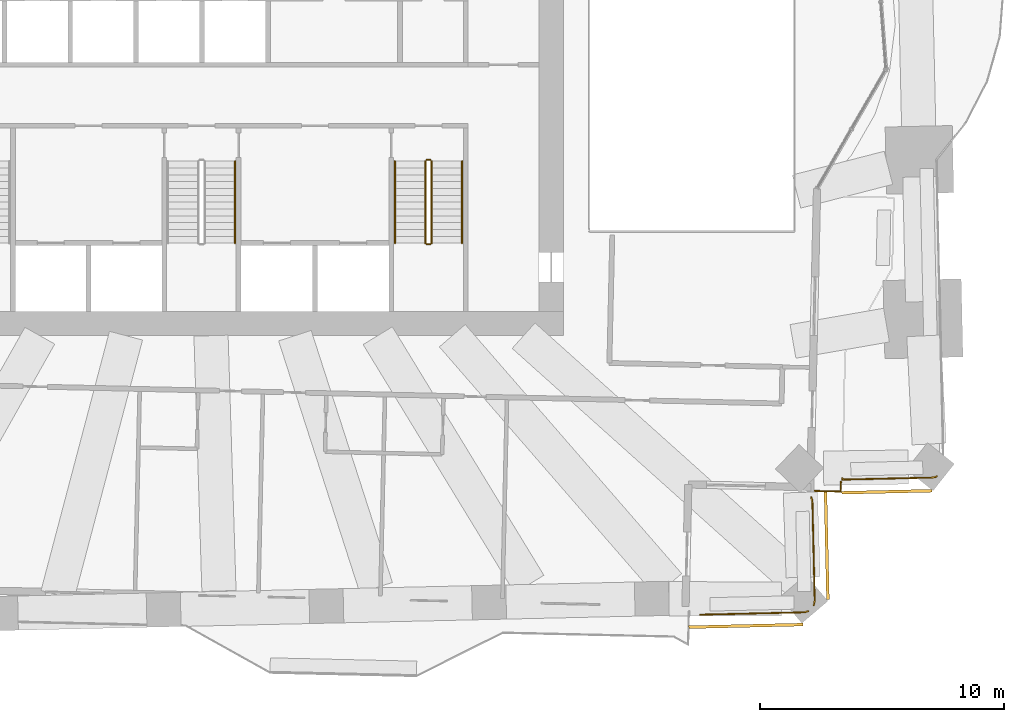
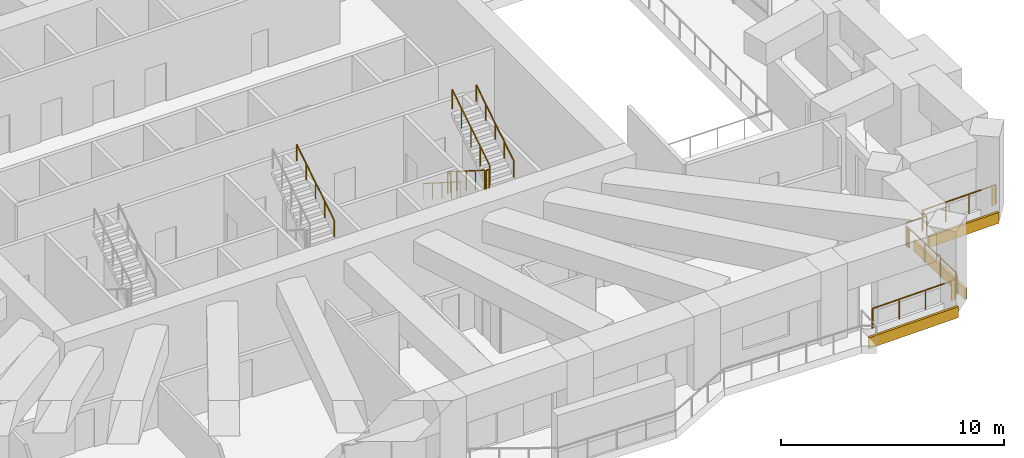
# One storey, part 18 of 20: 11 railings, 3 coverings.
"""IFC4 building model written with IfcOpenShell, lengths in metres."""

from ifc_helpers import new_model, si_unit, direction, frame, frame_2d, origin, origin_2d, place, context, subcontext, project, spatial, rectangle, circle, extrude, material, layer, layer_set, type_object, element, save


model = new_model("IFC4")

# Units and contexts
model_context = context("Model", 3, precision=1e-05, world=origin(), true_north=direction((0.0, 1.0)))
body_context = subcontext(model_context, "Body", "Model", "MODEL_VIEW")
ifc_project = project(units=[si_unit("LENGTHUNIT", "METRE"), si_unit("AREAUNIT", "SQUARE_METRE"), si_unit("VOLUMEUNIT", "CUBIC_METRE"), si_unit("PLANEANGLEUNIT", "RADIAN"), si_unit("MASSUNIT", "GRAM", prefix="KILO")], contexts=[model_context])

# Site, building, storey
site_placement = place(None, origin())
site = spatial("IfcSite", under=ifc_project, at=site_placement, CompositionType="ELEMENT")
building_placement = place(site_placement, origin())
building = spatial("IfcBuilding", under=site, at=building_placement, Name="Mangrove Gate Tower", CompositionType="ELEMENT")
storey_placement = place(building_placement, frame((0.0, 0.0, 97.300048828125)))
storey = spatial("IfcBuildingStorey", under=building, at=storey_placement, Name="L24", CompositionType="ELEMENT", Elevation=97.300048828125)

# Railings
ifc_material_1 = material(Name="Stainless steel grade 316 with laminated glass infill", Category="steel")
railing_type_1 = type_object("IfcRailingType", Name="Balcony guard 1100", PredefinedType="GUARDRAIL", material=ifc_material_1)
railing_1_placement = place(storey_placement, frame((25.10107421875, -18.160888671875, 0.0)))
element("IfcRailing", 1, at=railing_1_placement, inside=storey, type_object=railing_type_1, Name="GUARD L24 E1", PredefinedType="GUARDRAIL", context=body_context, shape_type="SweptSolid", body=[
    extrude(rectangle(XDim=0.048095703125, YDim=0.048095703125, at=origin_2d()), frame((0.0, 0.0, 1.076171875), z_axis=(0.999740049023, -0.022799876723, 0.0), x_axis=(0.022799876723, 0.999740049023, 0.0)), (0.0, 0.0, 1.0), 1.06005859375),
    extrude(rectangle(XDim=0.048095703125, YDim=0.048095703125, at=origin_2d()), frame((1.059814453125, -0.024169921875, 1.076171875), z_axis=(0.022018470162, 0.999757564098, 0.0), x_axis=(-0.999757564098, 0.022018470162, 0.0)), (0.0, 0.0, 1.0), 0.41015625),
    extrude(rectangle(XDim=0.0419921875, YDim=0.0419921875, at=origin_2d()), origin(), (0.0, 0.0, 1.0), 1.052001953125),
    extrude(rectangle(XDim=0.0419921875, YDim=0.0419921875, at=origin_2d()), frame((1.059814453125, -0.024169921875, 0.0)), (0.0, 0.0, 1.0), 1.052001953125),
    extrude(rectangle(XDim=0.0419921875, YDim=0.0419921875, at=origin_2d()), frame((1.06884765625, 0.385986328125, 0.0)), (0.0, 0.0, 1.0), 1.052001953125),
])
railing_2_placement = place(storey_placement, frame((30.095947265625, -17.55810546875, 0.0)))
element("IfcRailing", 2, at=railing_2_placement, inside=storey, type_object=railing_type_1, Name="GUARD L24 T1.3", PredefinedType="GUARDRAIL", context=body_context, shape_type="SweptSolid", body=[
    extrude(rectangle(XDim=0.048095703125, YDim=0.048095703125, at=origin_2d()), frame((0.0, 0.0, 1.076171875), z_axis=(-0.887359195726, -0.461078797779, 0.0), x_axis=(0.461078797779, -0.887359195726, 0.0)), (0.0, 0.0, 1.0), 0.028076171875),
    extrude(rectangle(XDim=0.048095703125, YDim=0.048095703125, at=origin_2d()), frame((-0.02490234375, -0.012939453125, 1.076171875), z_axis=(-0.931170070305, -0.364585106892, 0.0), x_axis=(0.364585106892, -0.931170070305, 0.0)), (0.0, 0.0, 1.0), 0.049560546875),
    extrude(rectangle(XDim=0.048095703125, YDim=0.048095703125, at=origin_2d()), frame((-0.071044921875, -0.031005859375, 1.076171875), z_axis=(-0.963948224108, -0.266089874363, 0.0), x_axis=(0.266089874363, -0.963948224108, 0.0)), (0.0, 0.0, 1.0), 0.048583984375),
    extrude(rectangle(XDim=0.048095703125, YDim=0.048095703125, at=origin_2d()), frame((-0.117919921875, -0.0439453125, 1.076171875), z_axis=(-0.986789091699, -0.162010149383, 0.0), x_axis=(0.162010149383, -0.986789091699, 0.0)), (0.0, 0.0, 1.0), 0.0498046875),
    extrude(rectangle(XDim=0.048095703125, YDim=0.048095703125, at=origin_2d()), frame((-0.1669921875, -0.052001953125, 1.076171875), z_axis=(-0.998222615791, -0.059595380047, 0.0), x_axis=(0.059595380047, -0.998222615791, 0.0)), (0.0, 0.0, 1.0), 0.049072265625),
    extrude(rectangle(XDim=0.048095703125, YDim=0.048095703125, at=origin_2d()), frame((-0.216064453125, -0.054931640625, 1.076171875), z_axis=(-0.999741213412, -0.02274876272, 0.0), x_axis=(0.02274876272, -0.999741213412, 0.0)), (0.0, 0.0, 1.0), 3.64892578125),
    extrude(rectangle(XDim=0.048095703125, YDim=0.048095703125, at=origin_2d()), frame((-3.864013671875, -0.137939453125, 1.076171875), z_axis=(0.019508481785, 0.999809691461, 0.0), x_axis=(-0.999809691461, 0.019508481785, 0.0)), (0.0, 0.0, 1.0), 0.050048828125),
    extrude(rectangle(XDim=0.0419921875, YDim=0.0419921875, at=origin_2d()), origin(), (0.0, 0.0, 1.0), 1.052001953125),
    extrude(rectangle(XDim=0.0419921875, YDim=0.0419921875, at=origin_2d()), frame((-0.02490234375, -0.012939453125, 0.0)), (0.0, 0.0, 1.0), 1.052001953125),
    extrude(rectangle(XDim=0.0419921875, YDim=0.0419921875, at=origin_2d()), frame((-0.071044921875, -0.031005859375, 0.0)), (0.0, 0.0, 1.0), 1.052001953125),
    extrude(rectangle(XDim=0.0419921875, YDim=0.0419921875, at=origin_2d()), frame((-0.117919921875, -0.0439453125, 0.0)), (0.0, 0.0, 1.0), 1.052001953125),
    extrude(rectangle(XDim=0.0419921875, YDim=0.0419921875, at=origin_2d()), frame((-0.1669921875, -0.052001953125, 0.0)), (0.0, 0.0, 1.0), 1.052001953125),
    extrude(rectangle(XDim=0.0419921875, YDim=0.0419921875, at=origin_2d()), frame((-0.216064453125, -0.054931640625, 0.0)), (0.0, 0.0, 1.0), 1.052001953125),
    extrude(rectangle(XDim=0.0419921875, YDim=0.0419921875, at=origin_2d()), frame((-1.43212890625, -0.08251953125, 0.0)), (0.0, 0.0, 1.0), 1.052001953125),
    extrude(rectangle(XDim=0.0419921875, YDim=0.0419921875, at=origin_2d()), frame((-2.64794921875, -0.1103515625, 0.0)), (0.0, 0.0, 1.0), 1.052001953125),
    extrude(rectangle(XDim=0.0419921875, YDim=0.0419921875, at=origin_2d()), frame((-3.864013671875, -0.137939453125, 0.0)), (0.0, 0.0, 1.0), 1.052001953125),
    extrude(rectangle(XDim=0.0419921875, YDim=0.0419921875, at=origin_2d()), frame((-3.863037109375, -0.087890625, 0.0)), (0.0, 0.0, 1.0), 1.052001953125),
])
railing_3_placement = place(storey_placement, frame((24.947021484375, -18.419921875, 0.0)))
element("IfcRailing", 3, at=railing_3_placement, inside=storey, type_object=railing_type_1, Name="GUARD L24 T2.1", PredefinedType="GUARDRAIL", context=body_context, shape_type="SweptSolid", body=[
    extrude(rectangle(XDim=0.048095703125, YDim=0.048095703125, at=origin_2d()), frame((0.0, 0.0, 1.076171875), z_axis=(0.432961799002, -0.901412270054, 0.0), x_axis=(0.901412270054, 0.432961799002, 0.0)), (0.0, 0.0, 1.0), 0.034423828125),
    extrude(rectangle(XDim=0.048095703125, YDim=0.048095703125, at=origin_2d()), frame((0.014892578125, -0.031005859375, 1.076171875), z_axis=(0.353892097416, -0.935286257456, 0.0), x_axis=(0.935286257456, 0.353892097416, 0.0)), (0.0, 0.0, 1.0), 0.04833984375),
    extrude(rectangle(XDim=0.048095703125, YDim=0.048095703125, at=origin_2d()), frame((0.031982421875, -0.076171875, 1.076171875), z_axis=(0.252212359559, -0.967671910146, 0.0), x_axis=(0.967671910146, 0.252212359559, 0.0)), (0.0, 0.0, 1.0), 0.04736328125),
    extrude(rectangle(XDim=0.048095703125, YDim=0.048095703125, at=origin_2d()), frame((0.0439453125, -0.1220703125, 1.076171875), z_axis=(0.168538534535, -0.985695065614, 0.0), x_axis=(0.985695065614, 0.168538534535, 0.0)), (0.0, 0.0, 1.0), 0.0478515625),
    extrude(rectangle(XDim=0.048095703125, YDim=0.048095703125, at=origin_2d()), frame((0.052001953125, -0.169189453125, 1.076171875), z_axis=(0.062378286155, -0.998052578483, 0.0), x_axis=(0.998052578483, 0.062378286155, 0.0)), (0.0, 0.0, 1.0), 0.046875),
    extrude(rectangle(XDim=0.048095703125, YDim=0.048095703125, at=origin_2d()), frame((0.054931640625, -0.216064453125, 1.076171875), z_axis=(0.022834042461, -0.999739269262, 0.0), x_axis=(0.999739269262, 0.022834042461, 0.0)), (0.0, 0.0, 1.0), 3.988037109375),
    extrude(rectangle(XDim=0.048095703125, YDim=0.048095703125, at=origin_2d()), frame((0.14599609375, -4.203125, 1.076171875), z_axis=(-0.039769507669, -0.999208880195, 0.0), x_axis=(0.999208880195, -0.039769507669, 0.0)), (0.0, 0.0, 1.0), 0.049072265625),
    extrude(rectangle(XDim=0.048095703125, YDim=0.048095703125, at=origin_2d()), frame((0.14404296875, -4.252197265625, 1.076171875), z_axis=(-0.124034734589, -0.992277876714, 0.0), x_axis=(0.992277876714, -0.124034734589, 0.0)), (0.0, 0.0, 1.0), 0.04931640625),
    extrude(rectangle(XDim=0.048095703125, YDim=0.048095703125, at=origin_2d()), frame((0.137939453125, -4.301025390625, 1.076171875), z_axis=(-0.203755794539, -0.979021744494, 0.0), x_axis=(0.979021744494, -0.203755794539, 0.0)), (0.0, 0.0, 1.0), 0.049072265625),
    extrude(rectangle(XDim=0.048095703125, YDim=0.048095703125, at=origin_2d()), frame((0.1279296875, -4.34912109375, 1.076171875), z_axis=(-0.326765215526, -0.945105546445, 0.0), x_axis=(0.945105546445, -0.326765215526, 0.0)), (0.0, 0.0, 1.0), 0.048583984375),
    extrude(rectangle(XDim=0.048095703125, YDim=0.048095703125, at=origin_2d()), frame((0.112060546875, -4.39501953125, 1.076171875), z_axis=(-0.38767182815, -0.921797458045, 0.0), x_axis=(0.921797458045, -0.38767182815, 0.0)), (0.0, 0.0, 1.0), 0.0283203125),
    extrude(rectangle(XDim=0.0419921875, YDim=0.0419921875, at=origin_2d()), origin(), (0.0, 0.0, 1.0), 1.052001953125),
    extrude(rectangle(XDim=0.0419921875, YDim=0.0419921875, at=origin_2d()), frame((0.014892578125, -0.031005859375, 0.0)), (0.0, 0.0, 1.0), 1.052001953125),
    extrude(rectangle(XDim=0.0419921875, YDim=0.0419921875, at=origin_2d()), frame((0.031982421875, -0.076171875, 0.0)), (0.0, 0.0, 1.0), 1.052001953125),
    extrude(rectangle(XDim=0.0419921875, YDim=0.0419921875, at=origin_2d()), frame((0.0439453125, -0.1220703125, 0.0)), (0.0, 0.0, 1.0), 1.052001953125),
    extrude(rectangle(XDim=0.0419921875, YDim=0.0419921875, at=origin_2d()), frame((0.052001953125, -0.169189453125, 0.0)), (0.0, 0.0, 1.0), 1.052001953125),
    extrude(rectangle(XDim=0.0419921875, YDim=0.0419921875, at=origin_2d()), frame((0.054931640625, -0.216064453125, 0.0)), (0.0, 0.0, 1.0), 1.052001953125),
    extrude(rectangle(XDim=0.0419921875, YDim=0.0419921875, at=origin_2d()), frame((0.085205078125, -1.545166015625, 0.0)), (0.0, 0.0, 1.0), 1.052001953125),
    extrude(rectangle(XDim=0.0419921875, YDim=0.0419921875, at=origin_2d()), frame((0.11572265625, -2.8740234375, 0.0)), (0.0, 0.0, 1.0), 1.052001953125),
    extrude(rectangle(XDim=0.0419921875, YDim=0.0419921875, at=origin_2d()), frame((0.14599609375, -4.203125, 0.0)), (0.0, 0.0, 1.0), 1.052001953125),
    extrude(rectangle(XDim=0.0419921875, YDim=0.0419921875, at=origin_2d()), frame((0.14404296875, -4.252197265625, 0.0)), (0.0, 0.0, 1.0), 1.052001953125),
    extrude(rectangle(XDim=0.0419921875, YDim=0.0419921875, at=origin_2d()), frame((0.137939453125, -4.301025390625, 0.0)), (0.0, 0.0, 1.0), 1.052001953125),
    extrude(rectangle(XDim=0.0419921875, YDim=0.0419921875, at=origin_2d()), frame((0.1279296875, -4.34912109375, 0.0)), (0.0, 0.0, 1.0), 1.052001953125),
    extrude(rectangle(XDim=0.0419921875, YDim=0.0419921875, at=origin_2d()), frame((0.112060546875, -4.39501953125, 0.0)), (0.0, 0.0, 1.0), 1.052001953125),
    extrude(rectangle(XDim=0.0419921875, YDim=0.0419921875, at=origin_2d()), frame((0.10107421875, -4.421142578125, 0.0)), (0.0, 0.0, 1.0), 1.052001953125),
])
railing_4_placement = place(storey_placement, frame((24.820068359375, -23.080078125, 0.0)))
element("IfcRailing", 4, at=railing_4_placement, inside=storey, type_object=railing_type_1, Name="GUARD L24 T2.2", PredefinedType="GUARDRAIL", context=body_context, shape_type="SweptSolid", body=[
    extrude(rectangle(XDim=0.048095703125, YDim=0.048095703125, at=origin_2d()), frame((0.0, 0.0, 1.076171875), z_axis=(-0.903022510302, -0.429593233056, 0.0), x_axis=(0.429593233056, -0.903022510302, 0.0)), (0.0, 0.0, 1.0), 0.02783203125),
    extrude(rectangle(XDim=0.048095703125, YDim=0.048095703125, at=origin_2d()), frame((-0.025146484375, -0.011962890625, 1.076171875), z_axis=(-0.930510652004, -0.366264831108, 0.0), x_axis=(0.366264831108, -0.930510652004, 0.0)), (0.0, 0.0, 1.0), 0.04931640625),
    extrude(rectangle(XDim=0.048095703125, YDim=0.048095703125, at=origin_2d()), frame((-0.071044921875, -0.030029296875, 1.076171875), z_axis=(-0.964301134924, -0.264808083684, 0.0), x_axis=(0.264808083684, -0.964301134924, 0.0)), (0.0, 0.0, 1.0), 0.048828125),
    extrude(rectangle(XDim=0.048095703125, YDim=0.048095703125, at=origin_2d()), frame((-0.1181640625, -0.04296875, 1.076171875), z_axis=(-0.986659290868, -0.162798782993, 0.0), x_axis=(0.162798782993, -0.986659290868, 0.0)), (0.0, 0.0, 1.0), 0.049560546875),
    extrude(rectangle(XDim=0.048095703125, YDim=0.048095703125, at=origin_2d()), frame((-0.1669921875, -0.051025390625, 1.076171875), z_axis=(-0.998222615791, -0.059595380047, 0.0), x_axis=(0.059595380047, -0.998222615791, 0.0)), (0.0, 0.0, 1.0), 0.049072265625),
    extrude(rectangle(XDim=0.048095703125, YDim=0.048095703125, at=origin_2d()), frame((-0.216064453125, -0.053955078125, 1.076171875), z_axis=(-0.99974186601, -0.022720064838, 0.0), x_axis=(0.022720064838, -0.99974186601, 0.0)), (0.0, 0.0, 1.0), 4.136962890625),
    extrude(rectangle(XDim=0.048095703125, YDim=0.048095703125, at=origin_2d()), frame((-4.35205078125, -0.14794921875, 1.076171875), z_axis=(-0.999816904308, 0.019135251757, 0.0), x_axis=(-0.019135251757, -0.999816904308, 0.0)), (0.0, 0.0, 1.0), 0.051025390625),
    extrude(rectangle(XDim=0.0419921875, YDim=0.0419921875, at=origin_2d()), origin(), (0.0, 0.0, 1.0), 1.052001953125),
    extrude(rectangle(XDim=0.0419921875, YDim=0.0419921875, at=origin_2d()), frame((-0.025146484375, -0.011962890625, 0.0)), (0.0, 0.0, 1.0), 1.052001953125),
    extrude(rectangle(XDim=0.0419921875, YDim=0.0419921875, at=origin_2d()), frame((-0.071044921875, -0.030029296875, 0.0)), (0.0, 0.0, 1.0), 1.052001953125),
    extrude(rectangle(XDim=0.0419921875, YDim=0.0419921875, at=origin_2d()), frame((-0.1181640625, -0.04296875, 0.0)), (0.0, 0.0, 1.0), 1.052001953125),
    extrude(rectangle(XDim=0.0419921875, YDim=0.0419921875, at=origin_2d()), frame((-0.1669921875, -0.051025390625, 0.0)), (0.0, 0.0, 1.0), 1.052001953125),
    extrude(rectangle(XDim=0.0419921875, YDim=0.0419921875, at=origin_2d()), frame((-0.216064453125, -0.053955078125, 0.0)), (0.0, 0.0, 1.0), 1.052001953125),
    extrude(rectangle(XDim=0.0419921875, YDim=0.0419921875, at=origin_2d()), frame((-1.5947265625, -0.085205078125, 0.0)), (0.0, 0.0, 1.0), 1.052001953125),
    extrude(rectangle(XDim=0.0419921875, YDim=0.0419921875, at=origin_2d()), frame((-2.973388671875, -0.11669921875, 0.0)), (0.0, 0.0, 1.0), 1.052001953125),
    extrude(rectangle(XDim=0.0419921875, YDim=0.0419921875, at=origin_2d()), frame((-4.35205078125, -0.14794921875, 0.0)), (0.0, 0.0, 1.0), 1.052001953125),
    extrude(rectangle(XDim=0.0419921875, YDim=0.0419921875, at=origin_2d()), frame((-4.403076171875, -0.14697265625, 0.0)), (0.0, 0.0, 1.0), 1.052001953125),
])
ifc_material_2 = material(Name="Stainless steel 316", Category="steel")
railing_type_2 = type_object("IfcRailingType", Name="Core stair guard 1100", PredefinedType="GUARDRAIL", material=ifc_material_2)
railing_5_placement = place(storey_placement, frame((9.14990234375, -4.64990234375, 0.1767578125)))
element("IfcRailing", 5, at=railing_5_placement, inside=storey, type_object=railing_type_2, Name="L24 ST3 stair guard 1", PredefinedType="GUARDRAIL", context=body_context, shape_type="SweptSolid", body=[
    extrude(rectangle(XDim=0.048095703125, YDim=0.048095703125, at=origin_2d()), frame((0.0, 0.0, 1.076171875), z_axis=(0.0, -0.845361898145, 0.534194029511), x_axis=(1.0, 0.0, 0.0)), (0.0, 0.0, 1.0), 3.974853515625),
    extrude(rectangle(XDim=0.0419921875, YDim=0.0419921875, at=origin_2d()), origin(), (0.0, 0.0, 1.0), 1.052001953125),
    extrude(rectangle(XDim=0.0419921875, YDim=0.0419921875, at=origin_2d()), frame((0.0, -0.840087890625, 0.53076171875)), (0.0, 0.0, 1.0), 1.052001953125),
    extrude(rectangle(XDim=0.0419921875, YDim=0.0419921875, at=origin_2d()), frame((0.0, -1.68017578125, 1.0615234375)), (0.0, 0.0, 1.0), 1.052001953125),
    extrude(rectangle(XDim=0.0419921875, YDim=0.0419921875, at=origin_2d()), frame((0.0, -2.52001953125, 1.592529296875)), (0.0, 0.0, 1.0), 1.052001953125),
    extrude(rectangle(XDim=0.0419921875, YDim=0.0419921875, at=origin_2d()), frame((0.0, -3.360107421875, 2.123291015625)), (0.0, 0.0, 1.0), 1.052001953125),
])
railing_6_placement = place(storey_placement, frame((9.199951171875, -8.06005859375, 2.300048828125)))
element("IfcRailing", 6, at=railing_6_placement, inside=storey, type_object=railing_type_2, Name="L24 ST3 stair guard 2", PredefinedType="GUARDRAIL", context=body_context, shape_type="SweptSolid", body=[
    extrude(rectangle(XDim=0.048095703125, YDim=0.048095703125, at=origin_2d()), frame((0.0, 0.0, 1.076171875), z_axis=(1.0, 0.0, 0.0), x_axis=(0.0, 1.0, 0.0)), (0.0, 0.0, 1.0), 0.150146484375),
    extrude(rectangle(XDim=0.0419921875, YDim=0.0419921875, at=origin_2d()), origin(), (0.0, 0.0, 1.0), 1.052001953125),
    extrude(rectangle(XDim=0.0419921875, YDim=0.0419921875, at=origin_2d()), frame((0.150146484375, 0.0, 0.0)), (0.0, 0.0, 1.0), 1.052001953125),
])
railing_7_placement = place(storey_placement, frame((9.39990234375, -8.010009765625, 2.476806640625)))
element("IfcRailing", 7, at=railing_7_placement, inside=storey, type_object=railing_type_2, Name="L24 ST3 stair guard 3", PredefinedType="GUARDRAIL", context=body_context, shape_type="SweptSolid", body=[
    extrude(rectangle(XDim=0.048095703125, YDim=0.048095703125, at=origin_2d()), frame((0.0, 0.0, 1.076171875), z_axis=(0.0, 0.845389635667, 0.534150132366), x_axis=(-1.0, 0.0, 0.0)), (0.0, 0.0, 1.0), 3.974609375),
    extrude(rectangle(XDim=0.0419921875, YDim=0.0419921875, at=origin_2d()), origin(), (0.0, 0.0, 1.0), 1.052001953125),
    extrude(rectangle(XDim=0.0419921875, YDim=0.0419921875, at=origin_2d()), frame((0.0, 0.840087890625, 0.53076171875)), (0.0, 0.0, 1.0), 1.052001953125),
    extrude(rectangle(XDim=0.0419921875, YDim=0.0419921875, at=origin_2d()), frame((0.0, 1.68017578125, 1.0615234375)), (0.0, 0.0, 1.0), 1.052001953125),
    extrude(rectangle(XDim=0.0419921875, YDim=0.0419921875, at=origin_2d()), frame((0.0, 2.52001953125, 1.59228515625)), (0.0, 0.0, 1.0), 1.052001953125),
    extrude(rectangle(XDim=0.0419921875, YDim=0.0419921875, at=origin_2d()), frame((0.0, 3.360107421875, 2.123046875)), (0.0, 0.0, 1.0), 1.052001953125),
])
railing_8_placement = place(storey_placement, frame((9.199951171875, -4.60009765625, 0.0)))
element("IfcRailing", 8, at=railing_8_placement, inside=storey, type_object=railing_type_2, Name="L24 ST3 stair guard 4", PredefinedType="GUARDRAIL", context=body_context, shape_type="SweptSolid", body=[
    extrude(rectangle(XDim=0.048095703125, YDim=0.048095703125, at=origin_2d()), frame((0.0, 0.0, 1.076171875), z_axis=(1.0, 0.0, 0.0), x_axis=(0.0, 1.0, 0.0)), (0.0, 0.0, 1.0), 0.150146484375),
    extrude(rectangle(XDim=0.0419921875, YDim=0.0419921875, at=origin_2d()), origin(), (0.0, 0.0, 1.0), 1.052001953125),
    extrude(rectangle(XDim=0.0419921875, YDim=0.0419921875, at=origin_2d()), frame((0.150146484375, 0.0, 0.0)), (0.0, 0.0, 1.0), 1.052001953125),
])
ifc_material_3 = material(Name="Stainless steel 316", Category="steel")
railing_type_3 = type_object("IfcRailingType", Name="Core stair handrail 900", PredefinedType="HANDRAIL", material=ifc_material_3)
railing_9_placement = place(storey_placement, frame((1.35009765625, -8.010009765625, 2.476806640625)))
element("IfcRailing", 9, at=railing_9_placement, inside=storey, type_object=railing_type_3, Name="L24 ST2 stair handrail 2", PredefinedType="HANDRAIL", context=body_context, shape_type="SweptSolid", body=[
    extrude(circle(Radius=0.02392578125, at=origin_2d()), frame((0.0, 0.0, 0.8759765625), z_axis=(0.0, 0.845389635667, 0.534150132366), x_axis=(-1.0, 0.0, 0.0)), (0.0, 0.0, 1.0), 3.974609375),
    extrude(circle(Radius=0.02099609375, at=origin_2d()), origin(), (0.0, 0.0, 1.0), 0.851806640625),
    extrude(circle(Radius=0.02099609375, at=origin_2d()), frame((0.0, 0.840087890625, 0.53076171875)), (0.0, 0.0, 1.0), 0.851806640625),
    extrude(circle(Radius=0.02099609375, at=origin_2d()), frame((0.0, 1.68017578125, 1.0615234375)), (0.0, 0.0, 1.0), 0.851806640625),
    extrude(circle(Radius=0.02099609375, at=origin_2d()), frame((0.0, 2.52001953125, 1.59228515625)), (0.0, 0.0, 1.0), 0.851806640625),
    extrude(circle(Radius=0.02099609375, at=origin_2d()), frame((0.0, 3.360107421875, 2.123046875)), (0.0, 0.0, 1.0), 0.851806640625),
])
railing_10_placement = place(storey_placement, frame((7.89990234375, -4.64990234375, 0.1767578125)))
element("IfcRailing", 10, at=railing_10_placement, inside=storey, type_object=railing_type_3, Name="L24 ST3 stair handrail 1", PredefinedType="HANDRAIL", context=body_context, shape_type="SweptSolid", body=[
    extrude(circle(Radius=0.02392578125, at=origin_2d()), frame((0.0, 0.0, 0.8759765625), z_axis=(0.0, -0.845361898145, 0.534194029511), x_axis=(1.0, 0.0, 0.0)), (0.0, 0.0, 1.0), 3.974853515625),
    extrude(circle(Radius=0.02099609375, at=origin_2d()), origin(), (0.0, 0.0, 1.0), 0.851806640625),
    extrude(circle(Radius=0.02099609375, at=origin_2d()), frame((0.0, -0.840087890625, 0.53076171875)), (0.0, 0.0, 1.0), 0.851806640625),
    extrude(circle(Radius=0.02099609375, at=origin_2d()), frame((0.0, -1.68017578125, 1.0615234375)), (0.0, 0.0, 1.0), 0.851806640625),
    extrude(circle(Radius=0.02099609375, at=origin_2d()), frame((0.0, -2.52001953125, 1.592529296875)), (0.0, 0.0, 1.0), 0.851806640625),
    extrude(circle(Radius=0.02099609375, at=origin_2d()), frame((0.0, -3.360107421875, 2.123291015625)), (0.0, 0.0, 1.0), 0.851806640625),
])
railing_11_placement = place(storey_placement, frame((10.64990234375, -8.010009765625, 2.476806640625)))
element("IfcRailing", 11, at=railing_11_placement, inside=storey, type_object=railing_type_3, Name="L24 ST3 stair handrail 2", PredefinedType="HANDRAIL", context=body_context, shape_type="SweptSolid", body=[
    extrude(circle(Radius=0.02392578125, at=origin_2d()), frame((0.0, 0.0, 0.8759765625), z_axis=(0.0, 0.845389635667, 0.534150132366), x_axis=(-1.0, 0.0, 0.0)), (0.0, 0.0, 1.0), 3.974609375),
    extrude(circle(Radius=0.02099609375, at=origin_2d()), origin(), (0.0, 0.0, 1.0), 0.851806640625),
    extrude(circle(Radius=0.02099609375, at=origin_2d()), frame((0.0, 0.840087890625, 0.53076171875)), (0.0, 0.0, 1.0), 0.851806640625),
    extrude(circle(Radius=0.02099609375, at=origin_2d()), frame((0.0, 1.68017578125, 1.0615234375)), (0.0, 0.0, 1.0), 0.851806640625),
    extrude(circle(Radius=0.02099609375, at=origin_2d()), frame((0.0, 2.52001953125, 1.59228515625)), (0.0, 0.0, 1.0), 0.851806640625),
    extrude(circle(Radius=0.02099609375, at=origin_2d()), frame((0.0, 3.360107421875, 2.123046875)), (0.0, 0.0, 1.0), 0.851806640625),
])

# Coverings
ifc_material_4 = material(Name="Limestone", Category="masonry")
ifc_layer_1 = layer(ifc_material_4, 0.0400390625, Name="Limestone cladding")
ifc_material_5 = material(Name="Stainless steel anchors and cavity", Category="steel")
ifc_layer_2 = layer(ifc_material_5, 0.080078125, Name="Fixing cavity")
ifc_layer_set = layer_set([ifc_layer_1, ifc_layer_2], Name="Joint fascia cladding 120")
covering_type = type_object("IfcCoveringType", Name="Joint fascia cladding 120", PredefinedType="CLADDING", material=ifc_layer_set)
covering_1_placement = place(storey_placement, frame((29.89306640625, -18.152099609375, -0.60009765625), z_axis=(0.0, 0.0, 1.0), x_axis=(-0.999748652591, -0.022419447855, 0.0)))
element("IfcCovering", 12, at=covering_1_placement, inside=storey, type_object=covering_type, Name="STONE FASCIA L24 TB21-3.1", PredefinedType="CLADDING", context=body_context, shape_type="SweptSolid", body=[
    extrude(rectangle(XDim=3.691650390625, YDim=0.1201171875, at=frame_2d((1.845703125, 0.0))), origin(), (0.0, 0.0, 1.0), 0.60009765625),
])
covering_2_placement = place(storey_placement, frame((25.535888671875, -18.17333984375, -0.60009765625), z_axis=(0.0, 0.0, 1.0), x_axis=(0.022550241596, -0.999745710971, 0.0)))
element("IfcCovering", 13, at=covering_2_placement, inside=storey, type_object=covering_type, Name="STONE FASCIA L24 TB22-1.1", PredefinedType="CLADDING", context=body_context, shape_type="SweptSolid", body=[
    extrude(rectangle(XDim=4.43896484375, YDim=0.1201171875, at=frame_2d((2.219482421875, 0.0))), origin(), (0.0, 0.0, 1.0), 0.60009765625),
])
covering_3_placement = place(storey_placement, frame((24.615966796875, -23.634033203125, -0.60009765625), z_axis=(0.0, 0.0, 1.0), x_axis=(-0.999742642627, -0.022685865913, 0.0)))
element("IfcCovering", 14, at=covering_3_placement, inside=storey, type_object=covering_type, Name="STONE FASCIA L24 TB22-2.1", PredefinedType="CLADDING", context=body_context, shape_type="SweptSolid", body=[
    extrude(rectangle(XDim=4.681396484375, YDim=0.1201171875, at=frame_2d((2.3408203125, 0.0))), origin(), (0.0, 0.0, 1.0), 0.60009765625),
])

save(model, "model.ifc")
